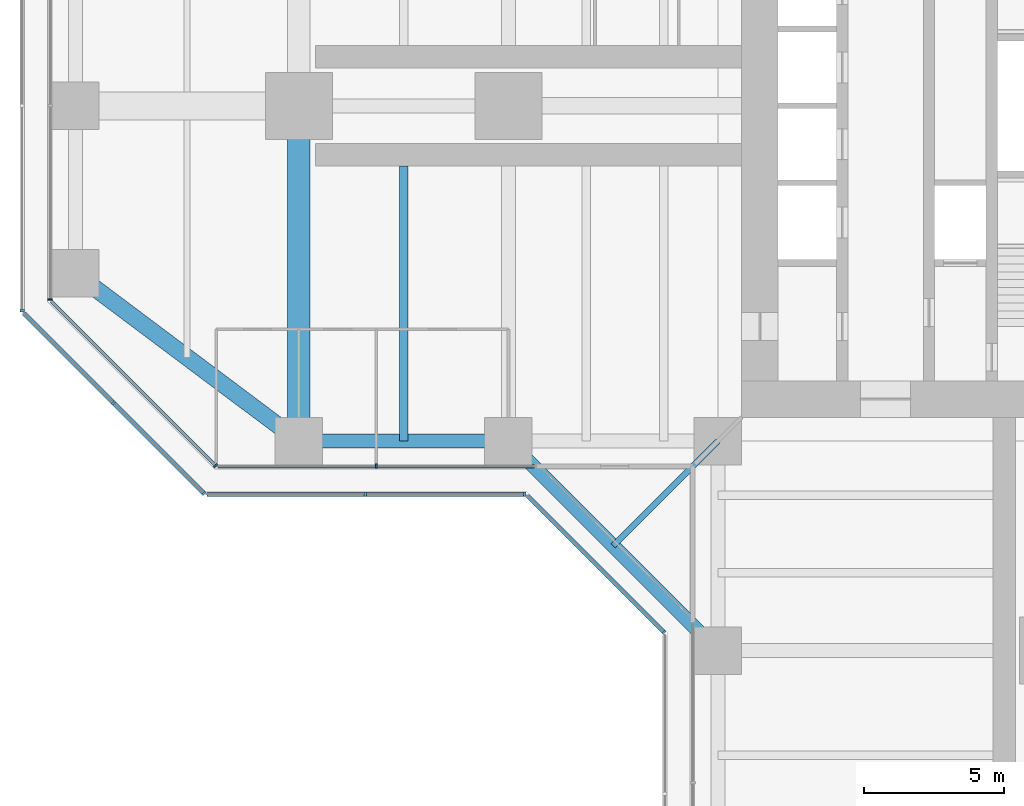
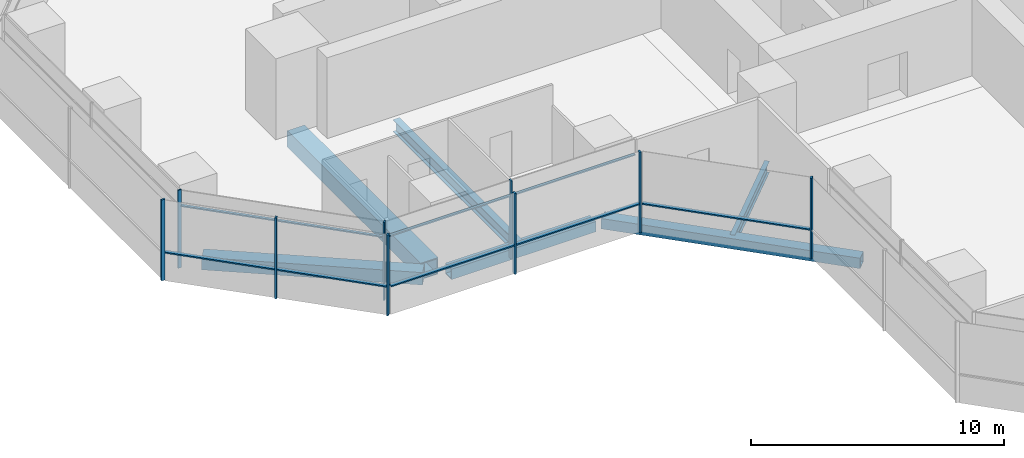
# One storey, part 3 of 22: 17 members, 6 beams, 7 elements without a shape of their own.
"""IFC4 building model written with IfcOpenShell, lengths in metres."""

from ifc_helpers import new_model, si_unit, direction, frame, origin, origin_2d, place, context, subcontext, project, spatial, rectangle, hollow_rectangle, i_section, extrude, material, material_profile, profile_set, type_object, element, aggregate, save


model = new_model("IFC4")

# Units and contexts
model_context = context("Model", 3, precision=1e-05, world=origin(), true_north=direction((0.0, 1.0)))
body_context = subcontext(model_context, "Body", "Model", "MODEL_VIEW")
ifc_project = project(units=[si_unit("LENGTHUNIT", "METRE"), si_unit("AREAUNIT", "SQUARE_METRE"), si_unit("VOLUMEUNIT", "CUBIC_METRE"), si_unit("PLANEANGLEUNIT", "RADIAN"), si_unit("MASSUNIT", "GRAM", prefix="KILO")], contexts=[model_context])

# Site, building, storey
site_placement = place(None, origin())
site = spatial("IfcSite", under=ifc_project, at=site_placement, CompositionType="ELEMENT")
building_placement = place(site_placement, origin())
building = spatial("IfcBuilding", under=site, at=building_placement, Name="Mizan Broadcast Tower", CompositionType="ELEMENT")
storey_placement = place(building_placement, frame((0.0, 0.0, 66.89990234375)))
storey = spatial("IfcBuildingStorey", under=building, at=storey_placement, Name="L13", CompositionType="ELEMENT", Elevation=66.89990234375)

# Beams
ifc_material_1 = material(Name="Steel S355", Category="steel")
ifc_material_profile_1 = material_profile(ifc_material_1, hollow_rectangle(XDim=0.5, YDim=0.5, WallThickness=0.030029296875, at=origin_2d()), Name="BOX 500x500x30")
ifc_profile_set_1 = profile_set([ifc_material_profile_1], Name="Steel S355")
beam_type_1 = type_object("IfcBeamType", Name="EDGE BEAM BOX 500x500x30", PredefinedType="SPANDREL", material=ifc_profile_set_1)
beam_1_placement = place(storey_placement, frame((-19.949951171875, -12.0, -0.3798828125), z_axis=(-1.0, 0.0, 0.0), x_axis=(0.0, -1.0, 0.0)))
element("IfcBeam", 1, at=beam_1_placement, inside=storey, type_object=beam_type_1, Name="Edge beam BOX 500x500x30 L13 west arm", PredefinedType="SPANDREL", context=body_context, shape_type="SweptSolid", body=[
    extrude(hollow_rectangle(XDim=0.5, YDim=0.5, WallThickness=0.030029296875, at=origin_2d()), origin(), (0.0, 0.0, 1.0), 6.60009765625),
])
beam_2_placement = place(storey_placement, frame((-19.5, -12.0, -0.3798828125), z_axis=(0.707106781187, -0.707106781187, 0.0), x_axis=(0.707106781187, 0.707106781187, 0.0)))
element("IfcBeam", 2, at=beam_2_placement, inside=storey, type_object=beam_type_1, Name="Winter garden edge beam L13 W", PredefinedType="SPANDREL", context=body_context, shape_type="SweptSolid", body=[
    extrude(hollow_rectangle(XDim=0.5, YDim=0.5, WallThickness=0.030029296875, at=origin_2d()), origin(), (0.0, 0.0, 1.0), 10.606689453125),
])
ifc_material_2 = material(Name="Steel S355", Category="steel")
ifc_material_profile_2 = material_profile(ifc_material_2, hollow_rectangle(XDim=0.60009765625, YDim=0.60009765625, WallThickness=0.030029296875, at=origin_2d()), Name="BOX 600x600x30")
ifc_profile_set_2 = profile_set([ifc_material_profile_2], Name="Steel S355")
beam_type_2 = type_object("IfcBeamType", Name="EDGE BEAM BOX 600x600x30", PredefinedType="SPANDREL", material=ifc_profile_set_2)
beam_3_placement = place(storey_placement, frame((-27.47998046875, -11.639892578125, -0.429931640625), z_axis=(-0.800013316712, 0.599982243973, 0.0), x_axis=(-0.599982243973, -0.800013316712, 0.0)))
element("IfcBeam", 3, at=beam_3_placement, inside=storey, type_object=beam_type_2, Name="Edge beam BOX 600x600x30 L13 west arm", PredefinedType="SPANDREL", context=body_context, shape_type="SweptSolid", body=[
    extrude(hollow_rectangle(XDim=0.60009765625, YDim=0.60009765625, WallThickness=0.030029296875, at=origin_2d()), origin(), (0.0, 0.0, 1.0), 8.7998046875),
])
ifc_material_3 = material(Name="Steel S460", Category="steel")
ifc_material_profile_3 = material_profile(ifc_material_3, hollow_rectangle(XDim=0.800048828125, YDim=0.800048828125, WallThickness=0.050048828125, at=origin_2d()), Name="BOX 800x800x50")
ifc_profile_set_3 = profile_set([ifc_material_profile_3], Name="Steel S460")
beam_type_3 = type_object("IfcBeamType", Name="GIRDER BOX 800x800x50", PredefinedType="BEAM", material=ifc_profile_set_3)
beam_4_placement = place(storey_placement, frame((-27.0, -11.280029296875, -0.52978515625), z_axis=(0.0, 1.0, 0.0), x_axis=(-1.0, 0.0, 0.0)))
element("IfcBeam", 4, at=beam_4_placement, inside=storey, type_object=beam_type_3, Name="Girder BOX 800x800x50 L13 west arm", PredefinedType="BEAM", context=body_context, shape_type="SweptSolid", body=[
    extrude(hollow_rectangle(XDim=0.800048828125, YDim=0.800048828125, WallThickness=0.050048828125, at=origin_2d()), origin(), (0.0, 0.0, 1.0), 10.56005859375),
])

# Curtain wall, member
ifc_material_4 = material(Name="Aluminium framed glazing", Category="aluminium")
curtain_wall_type_1 = type_object("IfcCurtainWallType", Name="INNER SKIN LOW ZONE", PredefinedType="USERDEFINED", material=ifc_material_4)
curtain_wall_1_placement = place(storey_placement, origin())
curtain_wall_1 = element("IfcCurtainWall", 5, at=curtain_wall_1_placement, inside=storey, type_object=curtain_wall_type_1, Name="Inner skin low zone L13 W end", ObjectType="INNER SKIN LOW ZONE", PredefinedType="USERDEFINED")
ifc_material_5 = material(Name="Aluminium, pale anodised", Category="aluminium")
ifc_material_profile_4 = material_profile(ifc_material_5, rectangle(XDim=0.159912109375, YDim=0.06005859375, at=origin_2d()), Name="MULLION 160x60")
ifc_profile_set_4 = profile_set([ifc_material_profile_4], Name="Aluminium, pale anodised")
member_type_1 = type_object("IfcMemberType", Name="INNER SKIN MULLION 60x160", PredefinedType="MULLION", material=ifc_profile_set_4)
member_1_placement = place(storey_placement, frame((-35.89990234375, -6.928466796875, 0.0), z_axis=(0.0, 0.0, 1.0), x_axis=(1.0, 0.0, 0.0)))
member_1 = element("IfcMember", 6, at=member_1_placement, type_object=member_type_1, Name="Inner skin low zone L13 W end mullion 3", PredefinedType="MULLION", context=body_context, shape_type="SweptSolid", body=[
    extrude(rectangle(XDim=0.159912109375, YDim=0.06005859375, at=origin_2d()), origin(), (0.0, 0.0, 1.0), 3.77001953125),
])
aggregate(curtain_wall_1, [member_1])

curtain_wall_2_placement = place(storey_placement, origin())
curtain_wall_2 = element("IfcCurtainWall", 7, at=curtain_wall_2_placement, inside=storey, type_object=curtain_wall_type_1, Name="Inner skin low zone L13 W chamfer", ObjectType="INNER SKIN LOW ZONE", PredefinedType="USERDEFINED")
member_2_placement = place(storey_placement, frame((-29.979736328125, -12.87890625, 0.0), z_axis=(0.0, 0.0, 1.0), x_axis=(0.707106781187, 0.707106781187, 0.0)))
member_2 = element("IfcMember", 8, at=member_2_placement, type_object=member_type_1, Name="Inner skin low zone L13 W chamfer mullion 2", PredefinedType="MULLION", context=body_context, shape_type="SweptSolid", body=[
    extrude(rectangle(XDim=0.159912109375, YDim=0.06005859375, at=origin_2d()), origin(), (0.0, 0.0, 1.0), 3.77001953125),
])

curtain_wall_3_placement = place(storey_placement, origin())
curtain_wall_3 = element("IfcCurtainWall", 9, at=curtain_wall_3_placement, inside=storey, type_object=curtain_wall_type_1, Name="Inner skin low zone L13 W side", ObjectType="INNER SKIN LOW ZONE", PredefinedType="USERDEFINED")
member_3_placement = place(storey_placement, frame((-24.229248046875, -12.89990234375, 0.0), z_axis=(0.0, 0.0, 1.0), x_axis=(0.0, 1.0, 0.0)))
member_3 = element("IfcMember", 10, at=member_3_placement, type_object=member_type_1, Name="Inner skin low zone L13 W side mullion 2", PredefinedType="MULLION", context=body_context, shape_type="SweptSolid", body=[
    extrude(rectangle(XDim=0.159912109375, YDim=0.06005859375, at=origin_2d()), origin(), (0.0, 0.0, 1.0), 3.77001953125),
])

# Member
ifc_material_6 = material(Name="Aluminium, pale anodised", Category="aluminium")
ifc_material_profile_5 = material_profile(ifc_material_6, rectangle(XDim=0.1201171875, YDim=0.06005859375, at=origin_2d()), Name="TRANSOM 120x60")
ifc_profile_set_5 = profile_set([ifc_material_profile_5], Name="Aluminium, pale anodised")
member_type_2 = type_object("IfcMemberType", Name="INNER SKIN TRANSOM 60x120", PredefinedType="USERDEFINED", material=ifc_profile_set_5)
member_4_placement = place(storey_placement, frame((-35.857666015625, -7.0009765625, 3.030029296875), z_axis=(0.707106781187, -0.707106781187, 0.0), x_axis=(0.707106781187, 0.707106781187, 0.0)))
member_4 = element("IfcMember", 11, at=member_4_placement, type_object=member_type_2, Name="Inner skin low zone L13 W chamfer transom 1.1", ObjectType="TRANSOM", PredefinedType="USERDEFINED", context=body_context, shape_type="SweptSolid", body=[
    extrude(rectangle(XDim=0.1201171875, YDim=0.06005859375, at=origin_2d()), origin(), (0.0, 0.0, 1.0), 8.28271484375),
])

aggregate(curtain_wall_2, [member_2, member_4])

member_5_placement = place(storey_placement, frame((-29.898681640625, -12.89990234375, 3.030029296875), z_axis=(1.0, 0.0, 0.0), x_axis=(0.0, 1.0, 0.0)))
member_5 = element("IfcMember", 12, at=member_5_placement, type_object=member_type_2, Name="Inner skin low zone L13 W side transom 1.1", ObjectType="TRANSOM", PredefinedType="USERDEFINED", context=body_context, shape_type="SweptSolid", body=[
    extrude(rectangle(XDim=0.1201171875, YDim=0.06005859375, at=origin_2d()), origin(), (0.0, 0.0, 1.0), 5.639404296875),
])

member_6_placement = place(storey_placement, frame((-24.19921875, -12.89990234375, 3.030029296875), z_axis=(1.0, 0.0, 0.0), x_axis=(0.0, 1.0, 0.0)))
member_6 = element("IfcMember", 13, at=member_6_placement, type_object=member_type_2, Name="Inner skin low zone L13 W side transom 2.1", ObjectType="TRANSOM", PredefinedType="USERDEFINED", context=body_context, shape_type="SweptSolid", body=[
    extrude(rectangle(XDim=0.1201171875, YDim=0.06005859375, at=origin_2d()), origin(), (0.0, 0.0, 1.0), 5.63916015625),
])

aggregate(curtain_wall_3, [member_3, member_5, member_6])

# Curtain wall, member
ifc_material_7 = material(Name="Aluminium framed glazing", Category="aluminium")
curtain_wall_type_2 = type_object("IfcCurtainWallType", Name="OUTER SKIN", PredefinedType="USERDEFINED", material=ifc_material_7)
curtain_wall_4_placement = place(storey_placement, origin())
curtain_wall_4 = element("IfcCurtainWall", 14, at=curtain_wall_4_placement, inside=storey, type_object=curtain_wall_type_2, Name="Outer skin L13 W end", ObjectType="OUTER SKIN", PredefinedType="USERDEFINED")
ifc_material_8 = material(Name="Aluminium, pale anodised", Category="aluminium")
ifc_material_profile_6 = material_profile(ifc_material_8, rectangle(XDim=0.159912109375, YDim=0.080078125, at=origin_2d()), Name="MULLION 160x80")
ifc_profile_set_6 = profile_set([ifc_material_profile_6], Name="Aluminium, pale anodised")
member_type_3 = type_object("IfcMemberType", Name="OUTER SKIN MULLION 80x160", PredefinedType="MULLION", material=ifc_profile_set_6)
member_7_placement = place(storey_placement, frame((-36.89990234375, -7.332763671875, 0.0), z_axis=(0.0, 0.0, 1.0), x_axis=(1.0, 0.0, 0.0)))
member_7 = element("IfcMember", 15, at=member_7_placement, type_object=member_type_3, Name="Outer skin L13 W end mullion 3", PredefinedType="MULLION", context=body_context, shape_type="SweptSolid", body=[
    extrude(rectangle(XDim=0.159912109375, YDim=0.080078125, at=origin_2d()), origin(), (0.0, 0.0, 1.0), 3.900146484375),
])
aggregate(curtain_wall_4, [member_7])

# Curtain wall, members
curtain_wall_5_placement = place(storey_placement, origin())
curtain_wall_5 = element("IfcCurtainWall", 16, at=curtain_wall_5_placement, inside=storey, type_object=curtain_wall_type_2, Name="Outer skin L13 W chamfer", ObjectType="OUTER SKIN", PredefinedType="USERDEFINED")
member_8_placement = place(storey_placement, frame((-33.636474609375, -10.636474609375, 0.0), z_axis=(0.0, 0.0, 1.0), x_axis=(0.707106781187, 0.707106781187, 0.0)))
member_8 = element("IfcMember", 17, at=member_8_placement, type_object=member_type_3, Name="Outer skin L13 W chamfer mullion 2", PredefinedType="MULLION", context=body_context, shape_type="SweptSolid", body=[
    extrude(rectangle(XDim=0.159912109375, YDim=0.080078125, at=origin_2d()), origin(), (0.0, 0.0, 1.0), 3.900146484375),
])
member_9_placement = place(storey_placement, frame((-30.401123046875, -13.871826171875, 0.0), z_axis=(0.0, 0.0, 1.0), x_axis=(0.707106781187, 0.707106781187, 0.0)))
member_9 = element("IfcMember", 18, at=member_9_placement, type_object=member_type_3, Name="Outer skin L13 W chamfer mullion 3", PredefinedType="MULLION", context=body_context, shape_type="SweptSolid", body=[
    extrude(rectangle(XDim=0.159912109375, YDim=0.080078125, at=origin_2d()), origin(), (0.0, 0.0, 1.0), 3.900146484375),
])

curtain_wall_6_placement = place(storey_placement, origin())
curtain_wall_6 = element("IfcCurtainWall", 19, at=curtain_wall_6_placement, inside=storey, type_object=curtain_wall_type_2, Name="Outer skin L13 W side", ObjectType="OUTER SKIN", PredefinedType="USERDEFINED")
member_10_placement = place(storey_placement, frame((-24.622802734375, -13.89990234375, 0.0), z_axis=(0.0, 0.0, 1.0), x_axis=(0.0, 1.0, 0.0)))
member_10 = element("IfcMember", 20, at=member_10_placement, type_object=member_type_3, Name="Outer skin L13 W side mullion 2", PredefinedType="MULLION", context=body_context, shape_type="SweptSolid", body=[
    extrude(rectangle(XDim=0.159912109375, YDim=0.080078125, at=origin_2d()), origin(), (0.0, 0.0, 1.0), 3.900146484375),
])
member_11_placement = place(storey_placement, frame((-18.912841796875, -13.89990234375, 0.0), z_axis=(0.0, 0.0, 1.0), x_axis=(0.0, 1.0, 0.0)))
member_11 = element("IfcMember", 21, at=member_11_placement, type_object=member_type_3, Name="Outer skin L13 W side mullion 3", PredefinedType="MULLION", context=body_context, shape_type="SweptSolid", body=[
    extrude(rectangle(XDim=0.159912109375, YDim=0.080078125, at=origin_2d()), origin(), (0.0, 0.0, 1.0), 3.900146484375),
])

# Curtain wall, member
curtain_wall_7_placement = place(storey_placement, origin())
curtain_wall_7 = element("IfcCurtainWall", 22, at=curtain_wall_7_placement, inside=storey, type_object=curtain_wall_type_2, Name="Outer skin L13 W chamfer", ObjectType="OUTER SKIN", PredefinedType="USERDEFINED")
member_12_placement = place(storey_placement, frame((-13.92822265625, -18.844482421875, 0.0), z_axis=(0.0, 0.0, 1.0), x_axis=(0.707106781187, 0.707106781187, 0.0)))
member_12 = element("IfcMember", 23, at=member_12_placement, type_object=member_type_3, Name="Outer skin L13 W chamfer mullion 2", PredefinedType="MULLION", context=body_context, shape_type="SweptSolid", body=[
    extrude(rectangle(XDim=0.159912109375, YDim=0.080078125, at=origin_2d()), origin(), (0.0, 0.0, 1.0), 3.900146484375),
])

# Member
ifc_material_9 = material(Name="Aluminium, pale anodised", Category="aluminium")
ifc_material_profile_7 = material_profile(ifc_material_9, rectangle(XDim=0.159912109375, YDim=0.06005859375, at=origin_2d()), Name="TRANSOM 160x60")
ifc_profile_set_7 = profile_set([ifc_material_profile_7], Name="Aluminium, pale anodised")
member_type_4 = type_object("IfcMemberType", Name="OUTER SKIN TRANSOM 60x160", PredefinedType="USERDEFINED", material=ifc_profile_set_7)
member_13_placement = place(storey_placement, frame((-36.843505859375, -7.429443359375, 1.400146484375), z_axis=(0.707106781187, -0.707106781187, 0.0), x_axis=(0.707106781187, 0.707106781187, 0.0)))
member_13 = element("IfcMember", 24, at=member_13_placement, type_object=member_type_4, Name="Outer skin L13 W chamfer transom 1.1", ObjectType="TRANSOM", PredefinedType="USERDEFINED", context=body_context, shape_type="SweptSolid", body=[
    extrude(rectangle(XDim=0.159912109375, YDim=0.06005859375, at=origin_2d()), origin(), (0.0, 0.0, 1.0), 4.495361328125),
])

member_14_placement = place(storey_placement, frame((-33.608154296875, -10.664794921875, 1.400146484375), z_axis=(0.707106781187, -0.707106781187, 0.0), x_axis=(0.707106781187, 0.707106781187, 0.0)))
member_14 = element("IfcMember", 25, at=member_14_placement, type_object=member_type_4, Name="Outer skin L13 W chamfer transom 2.1", ObjectType="TRANSOM", PredefinedType="USERDEFINED", context=body_context, shape_type="SweptSolid", body=[
    extrude(rectangle(XDim=0.159912109375, YDim=0.06005859375, at=origin_2d()), origin(), (0.0, 0.0, 1.0), 4.495361328125),
])

aggregate(curtain_wall_5, [member_8, member_9, member_13, member_14])

member_15_placement = place(storey_placement, frame((-30.292724609375, -13.89990234375, 1.400146484375), z_axis=(1.0, 0.0, 0.0), x_axis=(0.0, 1.0, 0.0)))
member_15 = element("IfcMember", 26, at=member_15_placement, type_object=member_type_4, Name="Outer skin L13 W side transom 1.1", ObjectType="TRANSOM", PredefinedType="USERDEFINED", context=body_context, shape_type="SweptSolid", body=[
    extrude(rectangle(XDim=0.159912109375, YDim=0.06005859375, at=origin_2d()), origin(), (0.0, 0.0, 1.0), 5.6298828125),
])

member_16_placement = place(storey_placement, frame((-24.582763671875, -13.89990234375, 1.400146484375), z_axis=(1.0, 0.0, 0.0), x_axis=(0.0, 1.0, 0.0)))
member_16 = element("IfcMember", 27, at=member_16_placement, type_object=member_type_4, Name="Outer skin L13 W side transom 2.1", ObjectType="TRANSOM", PredefinedType="USERDEFINED", context=body_context, shape_type="SweptSolid", body=[
    extrude(rectangle(XDim=0.159912109375, YDim=0.06005859375, at=origin_2d()), origin(), (0.0, 0.0, 1.0), 5.6298828125),
])

aggregate(curtain_wall_6, [member_10, member_11, member_15, member_16])

member_17_placement = place(storey_placement, frame((-18.816162109375, -13.95654296875, 1.400146484375), z_axis=(0.707106781187, -0.707106781187, 0.0), x_axis=(0.707106781187, 0.707106781187, 0.0)))
member_17 = element("IfcMember", 28, at=member_17_placement, type_object=member_type_4, Name="Outer skin L13 W chamfer transom 1.1", ObjectType="TRANSOM", PredefinedType="USERDEFINED", context=body_context, shape_type="SweptSolid", body=[
    extrude(rectangle(XDim=0.159912109375, YDim=0.06005859375, at=origin_2d()), origin(), (0.0, 0.0, 1.0), 6.87255859375),
])

aggregate(curtain_wall_7, [member_12, member_17])

# Beams
ifc_material_10 = material(Name="Steel S355", Category="steel")
ifc_material_profile_8 = material_profile(ifc_material_10, i_section(OverallWidth=0.300048828125, OverallDepth=0.590087890625, WebThickness=0.012939453125, FlangeThickness=0.02490234375, FilletRadius=0.027099609375, at=origin_2d()), Name="HEA 600")
ifc_profile_set_8 = profile_set([ifc_material_profile_8], Name="Steel S355")
beam_type_4 = type_object("IfcBeamType", Name="SECONDARY BEAM HEA 600", PredefinedType="JOIST", material=ifc_profile_set_8)
beam_5_placement = place(storey_placement, frame((-23.25, -12.0, -0.4248046875), z_axis=(0.0, 1.0, 0.0), x_axis=(-1.0, 0.0, 0.0)))
element("IfcBeam", 29, at=beam_5_placement, inside=storey, type_object=beam_type_4, Name="Secondary beam HEA 600 L13 west arm", PredefinedType="JOIST", context=body_context, shape_type="SweptSolid", body=[
    extrude(i_section(OverallWidth=0.300048828125, OverallDepth=0.590087890625, WebThickness=0.012939453125, FlangeThickness=0.02490234375, FilletRadius=0.027099609375, at=origin_2d()), origin(), (0.0, 0.0, 1.0), 9.85009765625),
])
ifc_material_11 = material(Name="Steel S355", Category="steel")
ifc_material_profile_9 = material_profile(ifc_material_11, i_section(OverallWidth=0.2099609375, OverallDepth=0.550048828125, WebThickness=0.010986328125, FlangeThickness=0.01708984375, FilletRadius=0.02392578125, at=origin_2d()), Name="IPE 550")
ifc_profile_set_9 = profile_set([ifc_material_profile_9], Name="Steel S355")
beam_type_5 = type_object("IfcBeamType", Name="SECONDARY BEAM IPE 550", PredefinedType="JOIST", material=ifc_profile_set_9)
beam_6_placement = place(storey_placement, frame((-12.0, -12.0, -0.40478515625), z_axis=(-0.707106781187, -0.707106781187, 0.0), x_axis=(0.707106781187, -0.707106781187, 0.0)))
element("IfcBeam", 30, at=beam_6_placement, inside=storey, type_object=beam_type_5, Name="Winter garden beam L13 W", PredefinedType="JOIST", context=body_context, shape_type="SweptSolid", body=[
    extrude(i_section(OverallWidth=0.2099609375, OverallDepth=0.550048828125, WebThickness=0.010986328125, FlangeThickness=0.01708984375, FilletRadius=0.02392578125, at=origin_2d()), origin(), (0.0, 0.0, 1.0), 5.30322265625),
])

save(model, "model.ifc")
